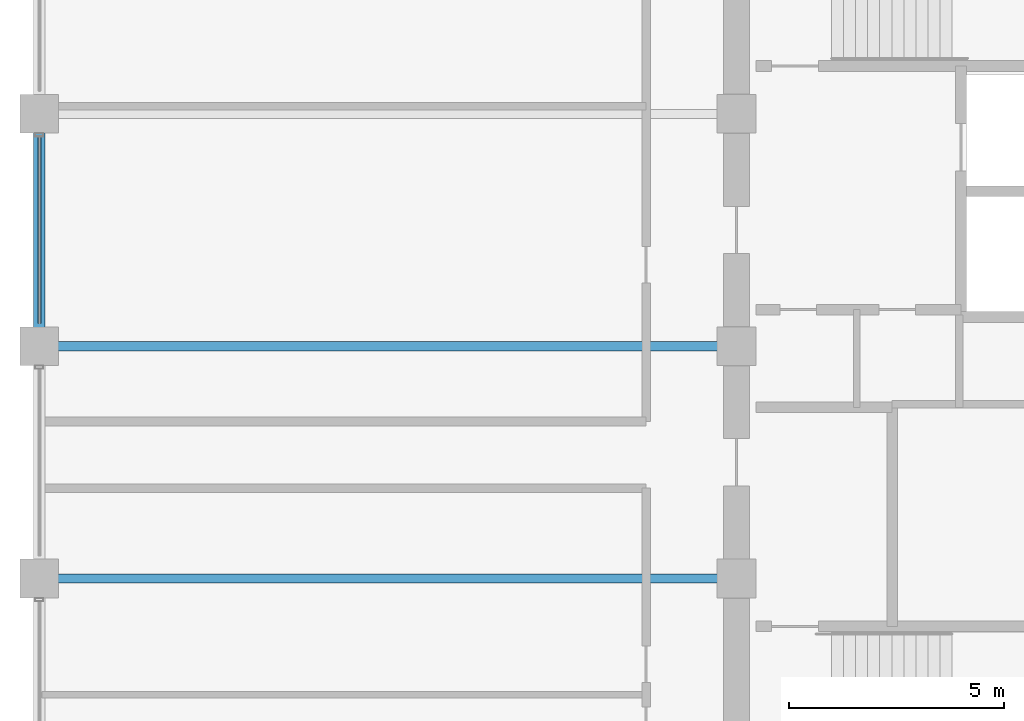
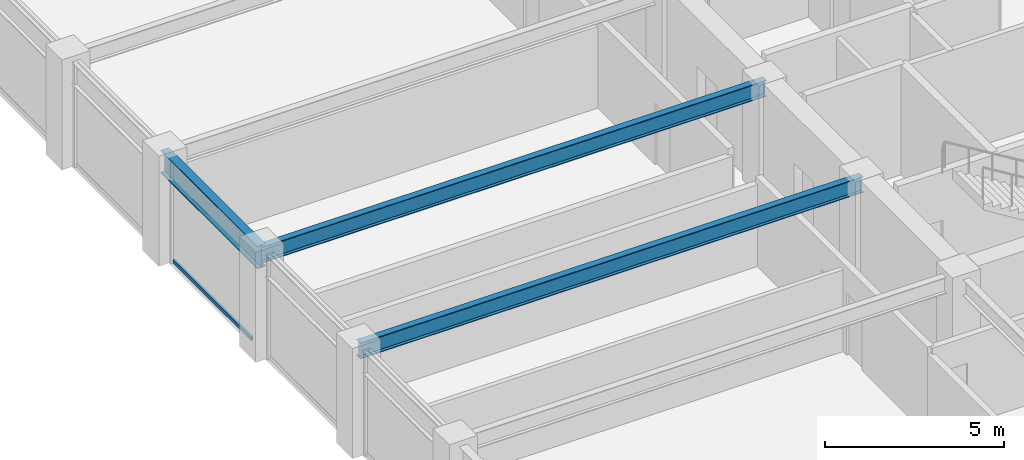
# One storey, part 9 of 32: 3 beams, 1 member, 1 element without a shape of its own.
"""IFC4 building model written with IfcOpenShell, lengths in metres."""

from ifc_helpers import new_model, si_unit, direction, frame, origin, origin_2d, place, context, subcontext, project, spatial, hollow_rectangle, i_section, extrude, material, layer, layer_set, material_profile, profile_set, type_object, element, aggregate, save


model = new_model("IFC4")

# Units and contexts
model_context = context("Model", 3, precision=1e-05, world=origin(), true_north=direction((0.0, 1.0)))
body_context = subcontext(model_context, "Body", "Model", "MODEL_VIEW")
ifc_project = project(units=[si_unit("LENGTHUNIT", "METRE"), si_unit("AREAUNIT", "SQUARE_METRE"), si_unit("VOLUMEUNIT", "CUBIC_METRE"), si_unit("PLANEANGLEUNIT", "RADIAN"), si_unit("MASSUNIT", "GRAM", prefix="KILO")], contexts=[model_context])

# Site, building, storey
site_placement = place(None, origin())
site = spatial("IfcSite", under=ifc_project, at=site_placement, CompositionType="ELEMENT")
building_placement = place(site_placement, origin())
building = spatial("IfcBuilding", under=site, at=building_placement, Name="Surkhivell Harbour Commons", CompositionType="ELEMENT")
storey_placement = place(building_placement, frame((0.0, 0.0, 212.25)))
storey = spatial("IfcBuildingStorey", under=building, at=storey_placement, Name="L55", CompositionType="ELEMENT", Elevation=212.25)

# Beams
ifc_material_1 = material(Name="Steel S355", Category="steel")
ifc_material_profile_1 = material_profile(ifc_material_1, i_section(OverallWidth=0.2119140625, OverallDepth=0.5439453125, WebThickness=0.0126953125, FlangeThickness=0.021240234375, at=origin_2d()), Name="UB533x210x122")
ifc_profile_set_1 = profile_set([ifc_material_profile_1], Name="Steel S355")
beam_type_1 = type_object("IfcBeamType", Name="BM-GRD-533A", PredefinedType="BEAM", material=ifc_profile_set_1)
for number, where, z_axis, x_axis, name in (
    (1, (-27.0, -5.39990234375, 3.298095703125), (1.0, 0.0, 0.0), (0.0, 1.0, 0.0), "L55 Floor Girder (-27.0,-5.4)"),
    (2, (-27.0, 0.0, 3.298095703125), (1.0, 0.0, 0.0), (0.0, 1.0, 0.0), "L55 Floor Girder (-27.0,0.0)"),
):
    element("IfcBeam", number, at=place(storey_placement, frame(where, z_axis=z_axis, x_axis=x_axis)), inside=storey, type_object=beam_type_1, Name=name, PredefinedType="BEAM", context=body_context, shape_type="SweptSolid", body=[
        extrude(i_section(OverallWidth=0.2119140625, OverallDepth=0.5439453125, WebThickness=0.0126953125, FlangeThickness=0.021240234375, at=origin_2d()), origin(), (0.0, 0.0, 1.0), 16.199951171875),
    ])
ifc_material_profile_2 = material_profile(ifc_material_1, i_section(OverallWidth=0.26806640625, OverallDepth=0.77001953125, WebThickness=0.015625, FlangeThickness=0.025390625, at=origin_2d()), Name="UB762x267x197")
ifc_profile_set_2 = profile_set([ifc_material_profile_2], Name="Steel S355")
beam_type_2 = type_object("IfcBeamType", Name="BM-SPN-762", PredefinedType="SPANDREL", material=ifc_profile_set_2)
beam_placement = place(storey_placement, frame((-27.0, 0.0, 3.18505859375), z_axis=(0.0, 1.0, 0.0), x_axis=(-1.0, 0.0, 0.0)))
element("IfcBeam", 3, at=beam_placement, inside=storey, type_object=beam_type_2, Name="L55 Tube Spandrel (-27.0,0.0)", PredefinedType="SPANDREL", context=body_context, shape_type="SweptSolid", body=[
    extrude(i_section(OverallWidth=0.26806640625, OverallDepth=0.77001953125, WebThickness=0.015625, FlangeThickness=0.025390625, at=origin_2d()), origin(), (0.0, 0.0, 1.0), 5.39990234375),
])

# Curtain wall, member
ifc_material_2 = material(Name="Anodised pale-metal aluminium and insulated glazing", Category="aluminium")
ifc_layer = layer(ifc_material_2, 0.18994140625)
ifc_layer_set = layer_set([ifc_layer], Name="Anodised pale-metal aluminium and insulated glazing")
curtain_wall_type = type_object("IfcCurtainWallType", Name="CW-SYS-Z3", PredefinedType="NOTDEFINED", material=ifc_layer_set)
curtain_wall_placement = place(storey_placement, origin())
curtain_wall = element("IfcCurtainWall", 4, at=curtain_wall_placement, inside=storey, type_object=curtain_wall_type, Name="L55 Curtain Wall CW-L55-E12S1", PredefinedType="NOTDEFINED")
ifc_material_3 = material(Name="Champagne anodised aluminium alloy 6063-T6", Category="aluminium")
ifc_material_profile_3 = material_profile(ifc_material_3, hollow_rectangle(XDim=0.070068359375, YDim=0.1298828125, WallThickness=0.00341796875, at=origin_2d()), Name="ALU-TRAN-70x130")
ifc_profile_set_3 = profile_set([ifc_material_profile_3], Name="Champagne anodised aluminium alloy 6063-T6")
member_type = type_object("IfcMemberType", Name="CWT-130", PredefinedType="USERDEFINED", material=ifc_profile_set_3)
member_placement = place(storey_placement, frame((-27.0, 4.873046875, 0.06494140625), z_axis=(0.0, -1.0, 0.0), x_axis=(1.0, 0.0, 0.0)))
member = element("IfcMember", 5, at=member_placement, type_object=member_type, Name="CW-Z3 transom 4.1", ObjectType="TRANSOM", PredefinedType="USERDEFINED", context=body_context, shape_type="SweptSolid", body=[
    extrude(hollow_rectangle(XDim=0.070068359375, YDim=0.1298828125, WallThickness=0.00341796875, at=origin_2d()), origin(), (0.0, 0.0, 1.0), 4.345947265625),
])
aggregate(curtain_wall, [member])

save(model, "model.ifc")
